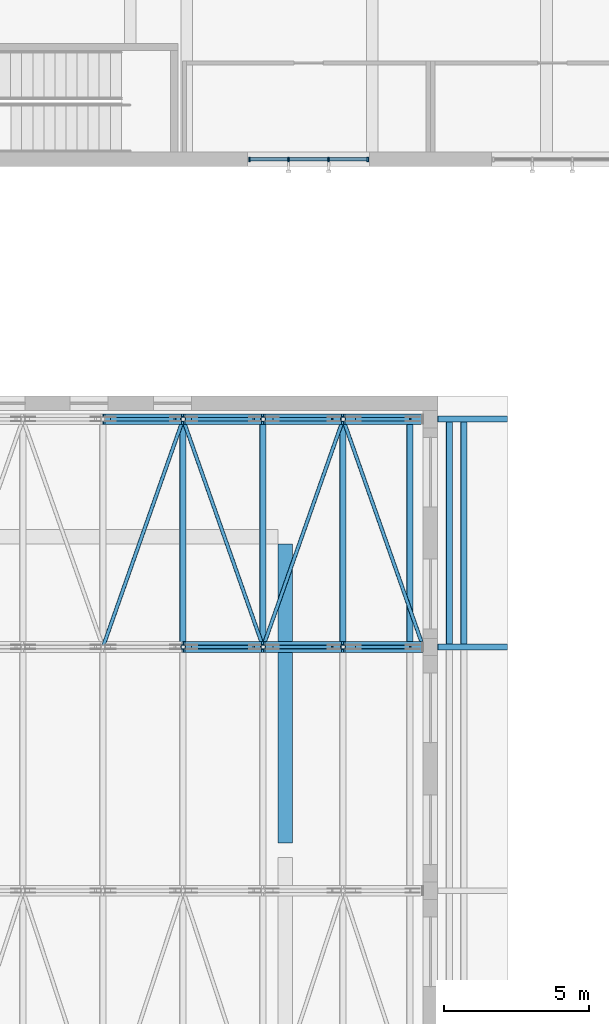
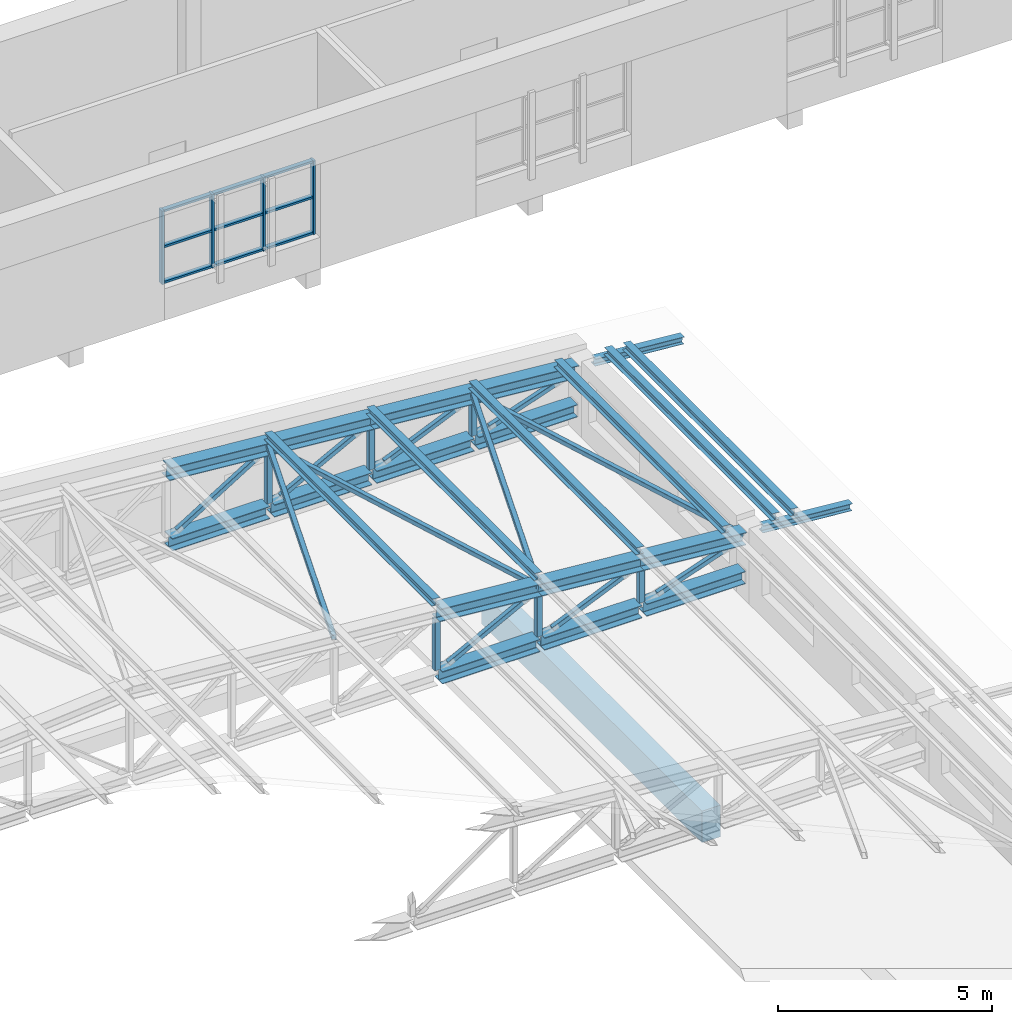
# One storey, part 21 of 60: 52 members, 1 beam, 1 element without a shape of its own.
"""IFC4 building model written with IfcOpenShell, lengths in metres."""

from ifc_helpers import new_model, si_unit, direction, frame, origin, origin_2d, place, context, subcontext, project, spatial, rectangle, hollow_rectangle, i_section, extrude, material, material_profile, profile_set, type_object, element, aggregate, save


model = new_model("IFC4")

# Units and contexts
model_context = context("Model", 3, precision=1e-05, world=origin(), true_north=direction((0.0, 1.0)))
body_context = subcontext(model_context, "Body", "Model", "MODEL_VIEW")
ifc_project = project(units=[si_unit("LENGTHUNIT", "METRE"), si_unit("AREAUNIT", "SQUARE_METRE"), si_unit("VOLUMEUNIT", "CUBIC_METRE"), si_unit("PLANEANGLEUNIT", "RADIAN"), si_unit("MASSUNIT", "GRAM", prefix="KILO")], contexts=[model_context])

# Site, building, storey
site_placement = place(None, origin())
site = spatial("IfcSite", under=ifc_project, at=site_placement, CompositionType="ELEMENT")
building_placement = place(site_placement, origin())
building = spatial("IfcBuilding", under=site, at=building_placement, Name="Ljudholm Concert House", CompositionType="ELEMENT")
storey_placement = place(building_placement, frame((0.0, 0.0, 15.0)))
storey = spatial("IfcBuildingStorey", under=building, at=storey_placement, Name="L03", CompositionType="ELEMENT", Elevation=15.0)

# Curtain wall, members
ifc_material_1 = material(Name="Aluminium curtain wall with impact-rated laminated glass", Category="aluminium")
curtain_wall_type = type_object("IfcCurtainWallType", Name="CURTAIN WALL 1400", PredefinedType="NOTDEFINED", material=ifc_material_1)
curtain_wall_placement = place(storey_placement, origin())
curtain_wall = element("IfcCurtainWall", 1, at=curtain_wall_placement, inside=storey, type_object=curtain_wall_type, Name="Promenade curtain wall", PredefinedType="NOTDEFINED")
ifc_material_2 = material(Name="Aluminium extrusion", Category="aluminium")
ifc_material_profile_1 = material_profile(ifc_material_2, rectangle(XDim=0.159912109375, YDim=0.06005859375, at=origin_2d()), Name="MULLION 60x160")
ifc_profile_set_1 = profile_set([ifc_material_profile_1], Name="Aluminium extrusion")
member_type_1 = type_object("IfcMemberType", Name="MULLION 60x160", PredefinedType="MULLION", material=ifc_profile_set_1)
member_1_placement = place(storey_placement, frame((39.760009765625, 54.39990234375, 0.89990234375), z_axis=(0.0, 0.0, 1.0), x_axis=(0.0, 1.0, 0.0)))
member_1 = element("IfcMember", 2, at=member_1_placement, type_object=member_type_1, Name="Mullion", PredefinedType="MULLION", context=body_context, shape_type="SweptSolid", body=[
    extrude(rectangle(XDim=0.159912109375, YDim=0.06005859375, at=origin_2d()), origin(), (0.0, 0.0, 1.0), 2.10009765625),
])
member_2_placement = place(storey_placement, frame((41.110107421875, 54.39990234375, 0.89990234375), z_axis=(0.0, 0.0, 1.0), x_axis=(0.0, 1.0, 0.0)))
member_2 = element("IfcMember", 3, at=member_2_placement, type_object=member_type_1, Name="Mullion", PredefinedType="MULLION", context=body_context, shape_type="SweptSolid", body=[
    extrude(rectangle(XDim=0.159912109375, YDim=0.06005859375, at=origin_2d()), origin(), (0.0, 0.0, 1.0), 2.10009765625),
])
member_3_placement = place(storey_placement, frame((42.489990234375, 54.39990234375, 0.89990234375), z_axis=(0.0, 0.0, 1.0), x_axis=(0.0, 1.0, 0.0)))
member_3 = element("IfcMember", 4, at=member_3_placement, type_object=member_type_1, Name="Mullion", PredefinedType="MULLION", context=body_context, shape_type="SweptSolid", body=[
    extrude(rectangle(XDim=0.159912109375, YDim=0.06005859375, at=origin_2d()), origin(), (0.0, 0.0, 1.0), 2.10009765625),
])
member_4_placement = place(storey_placement, frame((43.840087890625, 54.39990234375, 0.89990234375), z_axis=(0.0, 0.0, 1.0), x_axis=(0.0, 1.0, 0.0)))
member_4 = element("IfcMember", 5, at=member_4_placement, type_object=member_type_1, Name="Mullion", PredefinedType="MULLION", context=body_context, shape_type="SweptSolid", body=[
    extrude(rectangle(XDim=0.159912109375, YDim=0.06005859375, at=origin_2d()), origin(), (0.0, 0.0, 1.0), 2.10009765625),
])

# Beam
ifc_material_3 = material(Name="Concrete 6,500 psi", Category="concrete")
ifc_material_profile_2 = material_profile(ifc_material_3, rectangle(XDim=0.5, YDim=0.89990234375, at=origin_2d()), Name="RC BEAM 500x900")
ifc_profile_set_2 = profile_set([ifc_material_profile_2], Name="Concrete 6,500 psi")
beam_type = type_object("IfcBeamType", Name="RC BEAM 500x900", PredefinedType="BEAM", material=ifc_profile_set_2)
beam_placement = place(storey_placement, frame((41.0, 30.85009765625, -0.699951171875), z_axis=(0.0, 1.0, 0.0), x_axis=(-1.0, 0.0, 0.0)))
element("IfcBeam", 6, at=beam_placement, inside=storey, type_object=beam_type, Name="Ring beam", PredefinedType="BEAM", context=body_context, shape_type="SweptSolid", body=[
    extrude(rectangle(XDim=0.5, YDim=0.89990234375, at=origin_2d()), origin(), (0.0, 0.0, 1.0), 10.2998046875),
])

# Members
ifc_material_4 = material(Name="Steel ASTM A500 Gr. C", Category="steel")
ifc_material_profile_3 = material_profile(ifc_material_4, hollow_rectangle(XDim=0.126953125, YDim=0.126953125, WallThickness=0.00732421875, InnerFilletRadius=0.003662109375, OuterFilletRadius=0.010986328125, at=origin_2d()), Name="HSS5X5X5/16")
ifc_profile_set_3 = profile_set([ifc_material_profile_3], Name="Steel ASTM A500 Gr. C")
member_type_2 = type_object("IfcMemberType", Name="STEEL MEMBER HSS5X5X5/16 BRACE", PredefinedType="BRACE", material=ifc_profile_set_3)
member_5_placement = place(storey_placement, frame((37.794189453125, 37.60009765625, 0.93408203125), z_axis=(0.884876217226, 0.0, 0.465826233898), x_axis=(0.0, 1.0, 0.0)))
element("IfcMember", 7, at=member_5_placement, inside=storey, type_object=member_type_2, Name="Roof truss T5 diagonal", PredefinedType="BRACE", context=body_context, shape_type="SweptSolid", body=[
    extrude(hollow_rectangle(XDim=0.126953125, YDim=0.126953125, WallThickness=0.00732421875, InnerFilletRadius=0.003662109375, OuterFilletRadius=0.010986328125, at=origin_2d()), origin(), (0.0, 0.0, 1.0), 2.395751953125),
])
member_6_placement = place(storey_placement, frame((40.60205078125, 37.60009765625, 0.93603515625), z_axis=(0.916751083983, 0.0, 0.399458946597), x_axis=(0.0, 1.0, 0.0)))
element("IfcMember", 8, at=member_6_placement, inside=storey, type_object=member_type_2, Name="Roof truss T5 diagonal", PredefinedType="BRACE", context=body_context, shape_type="SweptSolid", body=[
    extrude(hollow_rectangle(XDim=0.126953125, YDim=0.126953125, WallThickness=0.00732421875, InnerFilletRadius=0.003662109375, OuterFilletRadius=0.010986328125, at=origin_2d()), origin(), (0.0, 0.0, 1.0), 2.20458984375),
])
member_7_placement = place(storey_placement, frame((43.435546875, 37.60009765625, 0.937744140625), z_axis=(0.945096021447, 0.0, 0.326792763453), x_axis=(0.0, 1.0, 0.0)))
element("IfcMember", 9, at=member_7_placement, inside=storey, type_object=member_type_2, Name="Roof truss T5 diagonal", PredefinedType="BRACE", context=body_context, shape_type="SweptSolid", body=[
    extrude(hollow_rectangle(XDim=0.126953125, YDim=0.126953125, WallThickness=0.00732421875, InnerFilletRadius=0.003662109375, OuterFilletRadius=0.010986328125, at=origin_2d()), origin(), (0.0, 0.0, 1.0), 1.97900390625),
])
member_8_placement = place(storey_placement, frame((35.001220703125, 45.449951171875, 0.931884765625), z_axis=(0.850774291755, 0.0, 0.525531259288), x_axis=(0.0, 1.0, 0.0)))
element("IfcMember", 10, at=member_8_placement, inside=storey, type_object=member_type_2, Name="Roof truss T6 diagonal", PredefinedType="BRACE", context=body_context, shape_type="SweptSolid", body=[
    extrude(hollow_rectangle(XDim=0.126953125, YDim=0.126953125, WallThickness=0.00732421875, InnerFilletRadius=0.003662109375, OuterFilletRadius=0.010986328125, at=origin_2d()), origin(), (0.0, 0.0, 1.0), 2.5732421875),
])
member_9_placement = place(storey_placement, frame((37.794189453125, 45.449951171875, 0.93408203125), z_axis=(0.884876217226, 0.0, 0.465826233898), x_axis=(0.0, 1.0, 0.0)))
element("IfcMember", 11, at=member_9_placement, inside=storey, type_object=member_type_2, Name="Roof truss T6 diagonal", PredefinedType="BRACE", context=body_context, shape_type="SweptSolid", body=[
    extrude(hollow_rectangle(XDim=0.126953125, YDim=0.126953125, WallThickness=0.00732421875, InnerFilletRadius=0.003662109375, OuterFilletRadius=0.010986328125, at=origin_2d()), origin(), (0.0, 0.0, 1.0), 2.395751953125),
])
member_10_placement = place(storey_placement, frame((40.60205078125, 45.449951171875, 0.93603515625), z_axis=(0.916751083983, 0.0, 0.399458946597), x_axis=(0.0, 1.0, 0.0)))
element("IfcMember", 12, at=member_10_placement, inside=storey, type_object=member_type_2, Name="Roof truss T6 diagonal", PredefinedType="BRACE", context=body_context, shape_type="SweptSolid", body=[
    extrude(hollow_rectangle(XDim=0.126953125, YDim=0.126953125, WallThickness=0.00732421875, InnerFilletRadius=0.003662109375, OuterFilletRadius=0.010986328125, at=origin_2d()), origin(), (0.0, 0.0, 1.0), 2.20458984375),
])
member_11_placement = place(storey_placement, frame((43.435546875, 45.449951171875, 0.937744140625), z_axis=(0.945096021447, 0.0, 0.326792763453), x_axis=(0.0, 1.0, 0.0)))
element("IfcMember", 13, at=member_11_placement, inside=storey, type_object=member_type_2, Name="Roof truss T6 diagonal", PredefinedType="BRACE", context=body_context, shape_type="SweptSolid", body=[
    extrude(hollow_rectangle(XDim=0.126953125, YDim=0.126953125, WallThickness=0.00732421875, InnerFilletRadius=0.003662109375, OuterFilletRadius=0.010986328125, at=origin_2d()), origin(), (0.0, 0.0, 1.0), 1.97900390625),
])
member_12_placement = place(storey_placement, frame((34.716552734375, 37.60546875, 2.7333984375), z_axis=(0.331820868413, 0.942924545801, -0.028075117285), x_axis=(-0.943296377948, 0.331951718402, 0.0)))
element("IfcMember", 14, at=member_12_placement, inside=storey, type_object=member_type_2, Name="Roof bracing", PredefinedType="BRACE", context=body_context, shape_type="SweptSolid", body=[
    extrude(hollow_rectangle(XDim=0.126953125, YDim=0.126953125, WallThickness=0.00732421875, InnerFilletRadius=0.003662109375, OuterFilletRadius=0.010986328125, at=origin_2d()), origin(), (0.0, 0.0, 1.0), 8.3134765625),
])
for number, where, z_axis, x_axis, name in (
    (15, (37.47509765625, 45.4443359375, 2.5), (0.33179473424, -0.942933734023, -0.02807539086), (0.943305577044, 0.331925576474, 0.0), "Roof bracing"),
    (16, (40.2333984375, 37.60546875, 2.2666015625), (0.331795007664, 0.942934511072, -0.028046046408), (-0.943305577044, 0.331925576474, 0.0), "Roof bracing"),
    (17, (42.99169921875, 45.4443359375, 2.033447265625), (0.33179473424, -0.942933734023, -0.02807539086), (0.943305577044, 0.331925576474, 0.0), "Roof bracing"),
):
    element("IfcMember", number, at=place(storey_placement, frame(where, z_axis=z_axis, x_axis=x_axis)), inside=storey, type_object=member_type_2, Name=name, PredefinedType="BRACE", context=body_context, shape_type="SweptSolid", body=[
        extrude(hollow_rectangle(XDim=0.126953125, YDim=0.126953125, WallThickness=0.00732421875, InnerFilletRadius=0.003662109375, OuterFilletRadius=0.010986328125, at=origin_2d()), origin(), (0.0, 0.0, 1.0), 8.313232421875),
    ])
ifc_material_5 = material(Name="Steel ASTM A500 Gr. C", Category="steel")
ifc_material_profile_4 = material_profile(ifc_material_5, hollow_rectangle(XDim=0.15234375, YDim=0.15234375, WallThickness=0.0087890625, InnerFilletRadius=0.00439453125, OuterFilletRadius=0.01318359375, at=origin_2d()), Name="HSS6X6X3/8")
ifc_profile_set_4 = profile_set([ifc_material_profile_4], Name="Steel ASTM A500 Gr. C")
member_type_3 = type_object("IfcMemberType", Name="STEEL MEMBER HSS6X6X3/8 POST", PredefinedType="POST", material=ifc_profile_set_4)
member_13_placement = place(storey_placement, frame((37.47509765625, 37.60009765625, 0.877685546875), z_axis=(0.0, 0.0, 1.0), x_axis=(1.0, 0.0, 0.0)))
element("IfcMember", 18, at=member_13_placement, inside=storey, type_object=member_type_3, Name="Roof truss T5 post", PredefinedType="POST", context=body_context, shape_type="SweptSolid", body=[
    extrude(hollow_rectangle(XDim=0.15234375, YDim=0.15234375, WallThickness=0.0087890625, InnerFilletRadius=0.00439453125, OuterFilletRadius=0.01318359375, at=origin_2d()), origin(), (0.0, 0.0, 1.0), 1.44384765625),
])
member_14_placement = place(storey_placement, frame((40.2333984375, 37.60009765625, 0.877685546875), z_axis=(0.0, 0.0, 1.0), x_axis=(1.0, 0.0, 0.0)))
element("IfcMember", 19, at=member_14_placement, inside=storey, type_object=member_type_3, Name="Roof truss T5 post", PredefinedType="POST", context=body_context, shape_type="SweptSolid", body=[
    extrude(hollow_rectangle(XDim=0.15234375, YDim=0.15234375, WallThickness=0.0087890625, InnerFilletRadius=0.00439453125, OuterFilletRadius=0.01318359375, at=origin_2d()), origin(), (0.0, 0.0, 1.0), 1.21044921875),
])
member_15_placement = place(storey_placement, frame((42.99169921875, 37.60009765625, 0.877685546875), z_axis=(0.0, 0.0, 1.0), x_axis=(1.0, 0.0, 0.0)))
element("IfcMember", 20, at=member_15_placement, inside=storey, type_object=member_type_3, Name="Roof truss T5 post", PredefinedType="POST", context=body_context, shape_type="SweptSolid", body=[
    extrude(hollow_rectangle(XDim=0.15234375, YDim=0.15234375, WallThickness=0.0087890625, InnerFilletRadius=0.00439453125, OuterFilletRadius=0.01318359375, at=origin_2d()), origin(), (0.0, 0.0, 1.0), 0.977294921875),
])
member_16_placement = place(storey_placement, frame((37.47509765625, 45.449951171875, 0.877685546875), z_axis=(0.0, 0.0, 1.0), x_axis=(1.0, 0.0, 0.0)))
element("IfcMember", 21, at=member_16_placement, inside=storey, type_object=member_type_3, Name="Roof truss T6 post", PredefinedType="POST", context=body_context, shape_type="SweptSolid", body=[
    extrude(hollow_rectangle(XDim=0.15234375, YDim=0.15234375, WallThickness=0.0087890625, InnerFilletRadius=0.00439453125, OuterFilletRadius=0.01318359375, at=origin_2d()), origin(), (0.0, 0.0, 1.0), 1.44384765625),
])
member_17_placement = place(storey_placement, frame((40.2333984375, 45.449951171875, 0.877685546875), z_axis=(0.0, 0.0, 1.0), x_axis=(1.0, 0.0, 0.0)))
element("IfcMember", 22, at=member_17_placement, inside=storey, type_object=member_type_3, Name="Roof truss T6 post", PredefinedType="POST", context=body_context, shape_type="SweptSolid", body=[
    extrude(hollow_rectangle(XDim=0.15234375, YDim=0.15234375, WallThickness=0.0087890625, InnerFilletRadius=0.00439453125, OuterFilletRadius=0.01318359375, at=origin_2d()), origin(), (0.0, 0.0, 1.0), 1.21044921875),
])
member_18_placement = place(storey_placement, frame((42.99169921875, 45.449951171875, 0.877685546875), z_axis=(0.0, 0.0, 1.0), x_axis=(1.0, 0.0, 0.0)))
element("IfcMember", 23, at=member_18_placement, inside=storey, type_object=member_type_3, Name="Roof truss T6 post", PredefinedType="POST", context=body_context, shape_type="SweptSolid", body=[
    extrude(hollow_rectangle(XDim=0.15234375, YDim=0.15234375, WallThickness=0.0087890625, InnerFilletRadius=0.00439453125, OuterFilletRadius=0.01318359375, at=origin_2d()), origin(), (0.0, 0.0, 1.0), 0.977294921875),
])
ifc_material_6 = material(Name="Steel ASTM A992", Category="steel")
ifc_material_profile_5 = material_profile(ifc_material_6, i_section(OverallWidth=0.368408203125, OverallDepth=0.355712890625, WebThickness=0.01123046875, FlangeThickness=0.01806640625, FilletRadius=0.01513671875, at=origin_2d()), Name="W14X90")
ifc_profile_set_5 = profile_set([ifc_material_profile_5], Name="Steel ASTM A992")
member_type_4 = type_object("IfcMemberType", Name="STEEL MEMBER W14X90 CHORD", PredefinedType="CHORD", material=ifc_profile_set_5)
member_19_placement = place(storey_placement, frame((37.47509765625, 37.60009765625, 2.5), z_axis=(0.996439113695, 0.0, -0.084315435714), x_axis=(0.0, 1.0, 0.0)))
element("IfcMember", 24, at=member_19_placement, inside=storey, type_object=member_type_4, Name="Roof truss T5 top chord", PredefinedType="CHORD", context=body_context, shape_type="SweptSolid", body=[
    extrude(i_section(OverallWidth=0.368408203125, OverallDepth=0.355712890625, WebThickness=0.01123046875, FlangeThickness=0.01806640625, FilletRadius=0.01513671875, at=origin_2d()), origin(), (0.0, 0.0, 1.0), 2.76806640625),
])
member_20_placement = place(storey_placement, frame((37.537109375, 37.60009765625, 0.699951171875), z_axis=(1.0, 0.0, 0.0), x_axis=(0.0, 1.0, 0.0)))
element("IfcMember", 25, at=member_20_placement, inside=storey, type_object=member_type_4, Name="Roof truss T5 bottom chord", PredefinedType="CHORD", context=body_context, shape_type="SweptSolid", body=[
    extrude(i_section(OverallWidth=0.368408203125, OverallDepth=0.355712890625, WebThickness=0.01123046875, FlangeThickness=0.01806640625, FilletRadius=0.01513671875, at=origin_2d()), origin(), (0.0, 0.0, 1.0), 2.63427734375),
])
member_21_placement = place(storey_placement, frame((40.2333984375, 37.60009765625, 2.2666015625), z_axis=(0.996446519711, 0.0, -0.084227865669), x_axis=(0.0, 1.0, 0.0)))
element("IfcMember", 26, at=member_21_placement, inside=storey, type_object=member_type_4, Name="Roof truss T5 top chord", PredefinedType="CHORD", context=body_context, shape_type="SweptSolid", body=[
    extrude(i_section(OverallWidth=0.368408203125, OverallDepth=0.355712890625, WebThickness=0.01123046875, FlangeThickness=0.01806640625, FilletRadius=0.01513671875, at=origin_2d()), origin(), (0.0, 0.0, 1.0), 2.76806640625),
])
member_22_placement = place(storey_placement, frame((40.29541015625, 37.60009765625, 0.699951171875), z_axis=(1.0, 0.0, 0.0), x_axis=(0.0, 1.0, 0.0)))
element("IfcMember", 27, at=member_22_placement, inside=storey, type_object=member_type_4, Name="Roof truss T5 bottom chord", PredefinedType="CHORD", context=body_context, shape_type="SweptSolid", body=[
    extrude(i_section(OverallWidth=0.368408203125, OverallDepth=0.355712890625, WebThickness=0.01123046875, FlangeThickness=0.01806640625, FilletRadius=0.01513671875, at=origin_2d()), origin(), (0.0, 0.0, 1.0), 2.63427734375),
])
member_23_placement = place(storey_placement, frame((42.99169921875, 37.60009765625, 2.033447265625), z_axis=(0.996439113695, 0.0, -0.084315435714), x_axis=(0.0, 1.0, 0.0)))
element("IfcMember", 28, at=member_23_placement, inside=storey, type_object=member_type_4, Name="Roof truss T5 top chord", PredefinedType="CHORD", context=body_context, shape_type="SweptSolid", body=[
    extrude(i_section(OverallWidth=0.368408203125, OverallDepth=0.355712890625, WebThickness=0.01123046875, FlangeThickness=0.01806640625, FilletRadius=0.01513671875, at=origin_2d()), origin(), (0.0, 0.0, 1.0), 2.76806640625),
])
member_24_placement = place(storey_placement, frame((43.0537109375, 37.60009765625, 0.699951171875), z_axis=(1.0, 0.0, 0.0), x_axis=(0.0, 1.0, 0.0)))
element("IfcMember", 29, at=member_24_placement, inside=storey, type_object=member_type_4, Name="Roof truss T5 bottom chord", PredefinedType="CHORD", context=body_context, shape_type="SweptSolid", body=[
    extrude(i_section(OverallWidth=0.368408203125, OverallDepth=0.355712890625, WebThickness=0.01123046875, FlangeThickness=0.01806640625, FilletRadius=0.01513671875, at=origin_2d()), origin(), (0.0, 0.0, 1.0), 2.666259765625),
])
member_25_placement = place(storey_placement, frame((34.716552734375, 45.449951171875, 2.7333984375), z_axis=(0.996439740606, 0.0, -0.084308026553), x_axis=(0.0, 1.0, 0.0)))
element("IfcMember", 30, at=member_25_placement, inside=storey, type_object=member_type_4, Name="Roof truss T6 top chord", PredefinedType="CHORD", context=body_context, shape_type="SweptSolid", body=[
    extrude(i_section(OverallWidth=0.368408203125, OverallDepth=0.355712890625, WebThickness=0.01123046875, FlangeThickness=0.01806640625, FilletRadius=0.01513671875, at=origin_2d()), origin(), (0.0, 0.0, 1.0), 2.768310546875),
])
member_26_placement = place(storey_placement, frame((34.778564453125, 45.449951171875, 0.699951171875), z_axis=(1.0, 0.0, 0.0), x_axis=(0.0, 1.0, 0.0)))
element("IfcMember", 31, at=member_26_placement, inside=storey, type_object=member_type_4, Name="Roof truss T6 bottom chord", PredefinedType="CHORD", context=body_context, shape_type="SweptSolid", body=[
    extrude(i_section(OverallWidth=0.368408203125, OverallDepth=0.355712890625, WebThickness=0.01123046875, FlangeThickness=0.01806640625, FilletRadius=0.01513671875, at=origin_2d()), origin(), (0.0, 0.0, 1.0), 2.634521484375),
])
member_27_placement = place(storey_placement, frame((37.47509765625, 45.449951171875, 2.5), z_axis=(0.996439113695, 0.0, -0.084315435714), x_axis=(0.0, 1.0, 0.0)))
element("IfcMember", 32, at=member_27_placement, inside=storey, type_object=member_type_4, Name="Roof truss T6 top chord", PredefinedType="CHORD", context=body_context, shape_type="SweptSolid", body=[
    extrude(i_section(OverallWidth=0.368408203125, OverallDepth=0.355712890625, WebThickness=0.01123046875, FlangeThickness=0.01806640625, FilletRadius=0.01513671875, at=origin_2d()), origin(), (0.0, 0.0, 1.0), 2.76806640625),
])
member_28_placement = place(storey_placement, frame((37.537109375, 45.449951171875, 0.699951171875), z_axis=(1.0, 0.0, 0.0), x_axis=(0.0, 1.0, 0.0)))
element("IfcMember", 33, at=member_28_placement, inside=storey, type_object=member_type_4, Name="Roof truss T6 bottom chord", PredefinedType="CHORD", context=body_context, shape_type="SweptSolid", body=[
    extrude(i_section(OverallWidth=0.368408203125, OverallDepth=0.355712890625, WebThickness=0.01123046875, FlangeThickness=0.01806640625, FilletRadius=0.01513671875, at=origin_2d()), origin(), (0.0, 0.0, 1.0), 2.63427734375),
])
member_29_placement = place(storey_placement, frame((40.2333984375, 45.449951171875, 2.2666015625), z_axis=(0.996446519711, 0.0, -0.084227865669), x_axis=(0.0, 1.0, 0.0)))
element("IfcMember", 34, at=member_29_placement, inside=storey, type_object=member_type_4, Name="Roof truss T6 top chord", PredefinedType="CHORD", context=body_context, shape_type="SweptSolid", body=[
    extrude(i_section(OverallWidth=0.368408203125, OverallDepth=0.355712890625, WebThickness=0.01123046875, FlangeThickness=0.01806640625, FilletRadius=0.01513671875, at=origin_2d()), origin(), (0.0, 0.0, 1.0), 2.76806640625),
])
member_30_placement = place(storey_placement, frame((40.29541015625, 45.449951171875, 0.699951171875), z_axis=(1.0, 0.0, 0.0), x_axis=(0.0, 1.0, 0.0)))
element("IfcMember", 35, at=member_30_placement, inside=storey, type_object=member_type_4, Name="Roof truss T6 bottom chord", PredefinedType="CHORD", context=body_context, shape_type="SweptSolid", body=[
    extrude(i_section(OverallWidth=0.368408203125, OverallDepth=0.355712890625, WebThickness=0.01123046875, FlangeThickness=0.01806640625, FilletRadius=0.01513671875, at=origin_2d()), origin(), (0.0, 0.0, 1.0), 2.63427734375),
])
member_31_placement = place(storey_placement, frame((42.99169921875, 45.449951171875, 2.033447265625), z_axis=(0.996439113695, 0.0, -0.084315435714), x_axis=(0.0, 1.0, 0.0)))
element("IfcMember", 36, at=member_31_placement, inside=storey, type_object=member_type_4, Name="Roof truss T6 top chord", PredefinedType="CHORD", context=body_context, shape_type="SweptSolid", body=[
    extrude(i_section(OverallWidth=0.368408203125, OverallDepth=0.355712890625, WebThickness=0.01123046875, FlangeThickness=0.01806640625, FilletRadius=0.01513671875, at=origin_2d()), origin(), (0.0, 0.0, 1.0), 2.76806640625),
])
member_32_placement = place(storey_placement, frame((43.0537109375, 45.449951171875, 0.699951171875), z_axis=(1.0, 0.0, 0.0), x_axis=(0.0, 1.0, 0.0)))
element("IfcMember", 37, at=member_32_placement, inside=storey, type_object=member_type_4, Name="Roof truss T6 bottom chord", PredefinedType="CHORD", context=body_context, shape_type="SweptSolid", body=[
    extrude(i_section(OverallWidth=0.368408203125, OverallDepth=0.355712890625, WebThickness=0.01123046875, FlangeThickness=0.01806640625, FilletRadius=0.01513671875, at=origin_2d()), origin(), (0.0, 0.0, 1.0), 2.666259765625),
])
ifc_material_7 = material(Name="Steel ASTM A992", Category="steel")
ifc_material_profile_6 = material_profile(ifc_material_7, i_section(OverallWidth=0.203125, OverallDepth=0.203125, WebThickness=0.00732421875, FlangeThickness=0.010986328125, FilletRadius=0.010009765625, at=origin_2d()), Name="W8X31")
ifc_profile_set_6 = profile_set([ifc_material_profile_6], Name="Steel ASTM A992")
member_type_5 = type_object("IfcMemberType", Name="STEEL MEMBER W8X31 PURLIN", PredefinedType="PURLIN", material=ifc_profile_set_6)
for number, where, z_axis, x_axis, name in (
    (38, (45.29150390625, 37.60009765625, 2.119140625), (0.0, 1.0, 0.0), (-0.996441172925, 0.0, 0.084291096202), "Purlin"),
    (39, (42.983154296875, 37.60009765625, 2.314453125), (0.0, 1.0, 0.0), (-0.996441172925, 0.0, 0.084291096202), "Purlin"),
    (40, (40.224853515625, 37.60009765625, 2.5478515625), (0.0, 1.0, 0.0), (-0.996441172925, 0.0, 0.084291096202), "Purlin"),
    (41, (37.466552734375, 37.60009765625, 2.781005859375), (0.0, 1.0, 0.0), (-0.996441172925, 0.0, 0.084291096202), "Purlin"),
    (42, (46.641357421875, 37.60009765625, 2.0048828125), (0.0, 1.0, 0.0), (-0.996441172925, 0.0, 0.084291096202), "Purlin"),
    (43, (47.141357421875, 37.60009765625, 1.962646484375), (0.0, 1.0, 0.0), (-0.996441172925, 0.0, 0.084291096202), "Purlin"),
):
    element("IfcMember", number, at=place(storey_placement, frame(where, z_axis=z_axis, x_axis=x_axis)), inside=storey, type_object=member_type_5, Name=name, PredefinedType="PURLIN", context=body_context, shape_type="SweptSolid", body=[
        extrude(i_section(OverallWidth=0.203125, OverallDepth=0.203125, WebThickness=0.00732421875, FlangeThickness=0.010986328125, FilletRadius=0.010009765625, at=origin_2d()), origin(), (0.0, 0.0, 1.0), 7.849853515625),
    ])
ifc_material_8 = material(Name="Steel ASTM A992", Category="steel")
ifc_material_profile_7 = material_profile(ifc_material_8, i_section(OverallWidth=0.203125, OverallDepth=0.203125, WebThickness=0.00732421875, FlangeThickness=0.010986328125, FilletRadius=0.010009765625, at=origin_2d()), Name="W8X31")
ifc_profile_set_7 = profile_set([ifc_material_profile_7], Name="Steel ASTM A992")
member_type_6 = type_object("IfcMemberType", Name="STEEL MEMBER W8X31 RAFTER", PredefinedType="RAFTER", material=ifc_profile_set_7)
for number, where, z_axis, x_axis, name in (
    (44, (46.25, 37.60009765625, 1.834228515625), (0.996437262136, 0.0, -0.084337314557), (0.0, 1.0, 0.0), "Eave rafter tail"),
    (45, (46.25, 45.449951171875, 1.834228515625), (0.996437262136, 0.0, -0.084337314557), (0.0, 1.0, 0.0), "Eave rafter tail"),
):
    element("IfcMember", number, at=place(storey_placement, frame(where, z_axis=z_axis, x_axis=x_axis)), inside=storey, type_object=member_type_6, Name=name, PredefinedType="RAFTER", context=body_context, shape_type="SweptSolid", body=[
        extrude(i_section(OverallWidth=0.203125, OverallDepth=0.203125, WebThickness=0.00732421875, FlangeThickness=0.010986328125, FilletRadius=0.010009765625, at=origin_2d()), origin(), (0.0, 0.0, 1.0), 2.408447265625),
    ])

# Member
ifc_material_9 = material(Name="Aluminium extrusion", Category="aluminium")
ifc_material_profile_8 = material_profile(ifc_material_9, rectangle(XDim=0.1201171875, YDim=0.06005859375, at=origin_2d()), Name="TRANSOM 60x120")
ifc_profile_set_8 = profile_set([ifc_material_profile_8], Name="Aluminium extrusion")
member_type_7 = type_object("IfcMemberType", Name="TRANSOM 60x120", PredefinedType="USERDEFINED", material=ifc_profile_set_8)
member_33_placement = place(storey_placement, frame((39.7900390625, 54.39990234375, 0.929931640625), z_axis=(1.0, 0.0, 0.0), x_axis=(0.0, 1.0, 0.0)))
member_33 = element("IfcMember", 46, at=member_33_placement, type_object=member_type_7, Name="Transom", ObjectType="TRANSOM", PredefinedType="USERDEFINED", context=body_context, shape_type="SweptSolid", body=[
    extrude(rectangle(XDim=0.1201171875, YDim=0.06005859375, at=origin_2d()), origin(), (0.0, 0.0, 1.0), 1.2900390625),
])

member_34_placement = place(storey_placement, frame((39.7900390625, 54.39990234375, 1.949951171875), z_axis=(1.0, 0.0, 0.0), x_axis=(0.0, 1.0, 0.0)))
member_34 = element("IfcMember", 47, at=member_34_placement, type_object=member_type_7, Name="Transom", ObjectType="TRANSOM", PredefinedType="USERDEFINED", context=body_context, shape_type="SweptSolid", body=[
    extrude(rectangle(XDim=0.1201171875, YDim=0.06005859375, at=origin_2d()), origin(), (0.0, 0.0, 1.0), 1.2900390625),
])

member_35_placement = place(storey_placement, frame((39.7900390625, 54.39990234375, 2.969970703125), z_axis=(1.0, 0.0, 0.0), x_axis=(0.0, 1.0, 0.0)))
member_35 = element("IfcMember", 48, at=member_35_placement, type_object=member_type_7, Name="Transom", ObjectType="TRANSOM", PredefinedType="USERDEFINED", context=body_context, shape_type="SweptSolid", body=[
    extrude(rectangle(XDim=0.1201171875, YDim=0.06005859375, at=origin_2d()), origin(), (0.0, 0.0, 1.0), 1.2900390625),
])

member_36_placement = place(storey_placement, frame((41.139892578125, 54.39990234375, 0.929931640625), z_axis=(1.0, 0.0, 0.0), x_axis=(0.0, 1.0, 0.0)))
member_36 = element("IfcMember", 49, at=member_36_placement, type_object=member_type_7, Name="Transom", ObjectType="TRANSOM", PredefinedType="USERDEFINED", context=body_context, shape_type="SweptSolid", body=[
    extrude(rectangle(XDim=0.1201171875, YDim=0.06005859375, at=origin_2d()), origin(), (0.0, 0.0, 1.0), 1.320068359375),
])

member_37_placement = place(storey_placement, frame((41.139892578125, 54.39990234375, 1.949951171875), z_axis=(1.0, 0.0, 0.0), x_axis=(0.0, 1.0, 0.0)))
member_37 = element("IfcMember", 50, at=member_37_placement, type_object=member_type_7, Name="Transom", ObjectType="TRANSOM", PredefinedType="USERDEFINED", context=body_context, shape_type="SweptSolid", body=[
    extrude(rectangle(XDim=0.1201171875, YDim=0.06005859375, at=origin_2d()), origin(), (0.0, 0.0, 1.0), 1.320068359375),
])

member_38_placement = place(storey_placement, frame((41.139892578125, 54.39990234375, 2.969970703125), z_axis=(1.0, 0.0, 0.0), x_axis=(0.0, 1.0, 0.0)))
member_38 = element("IfcMember", 51, at=member_38_placement, type_object=member_type_7, Name="Transom", ObjectType="TRANSOM", PredefinedType="USERDEFINED", context=body_context, shape_type="SweptSolid", body=[
    extrude(rectangle(XDim=0.1201171875, YDim=0.06005859375, at=origin_2d()), origin(), (0.0, 0.0, 1.0), 1.320068359375),
])

member_39_placement = place(storey_placement, frame((42.52001953125, 54.39990234375, 0.929931640625), z_axis=(1.0, 0.0, 0.0), x_axis=(0.0, 1.0, 0.0)))
member_39 = element("IfcMember", 52, at=member_39_placement, type_object=member_type_7, Name="Transom", ObjectType="TRANSOM", PredefinedType="USERDEFINED", context=body_context, shape_type="SweptSolid", body=[
    extrude(rectangle(XDim=0.1201171875, YDim=0.06005859375, at=origin_2d()), origin(), (0.0, 0.0, 1.0), 1.2900390625),
])

member_40_placement = place(storey_placement, frame((42.52001953125, 54.39990234375, 1.949951171875), z_axis=(1.0, 0.0, 0.0), x_axis=(0.0, 1.0, 0.0)))
member_40 = element("IfcMember", 53, at=member_40_placement, type_object=member_type_7, Name="Transom", ObjectType="TRANSOM", PredefinedType="USERDEFINED", context=body_context, shape_type="SweptSolid", body=[
    extrude(rectangle(XDim=0.1201171875, YDim=0.06005859375, at=origin_2d()), origin(), (0.0, 0.0, 1.0), 1.2900390625),
])

member_41_placement = place(storey_placement, frame((42.52001953125, 54.39990234375, 2.969970703125), z_axis=(1.0, 0.0, 0.0), x_axis=(0.0, 1.0, 0.0)))
member_41 = element("IfcMember", 54, at=member_41_placement, type_object=member_type_7, Name="Transom", ObjectType="TRANSOM", PredefinedType="USERDEFINED", context=body_context, shape_type="SweptSolid", body=[
    extrude(rectangle(XDim=0.1201171875, YDim=0.06005859375, at=origin_2d()), origin(), (0.0, 0.0, 1.0), 1.2900390625),
])

aggregate(curtain_wall, [member_1, member_2, member_3, member_4, member_33, member_34, member_35, member_36, member_37, member_38, member_39, member_40, member_41])

save(model, "model.ifc")
